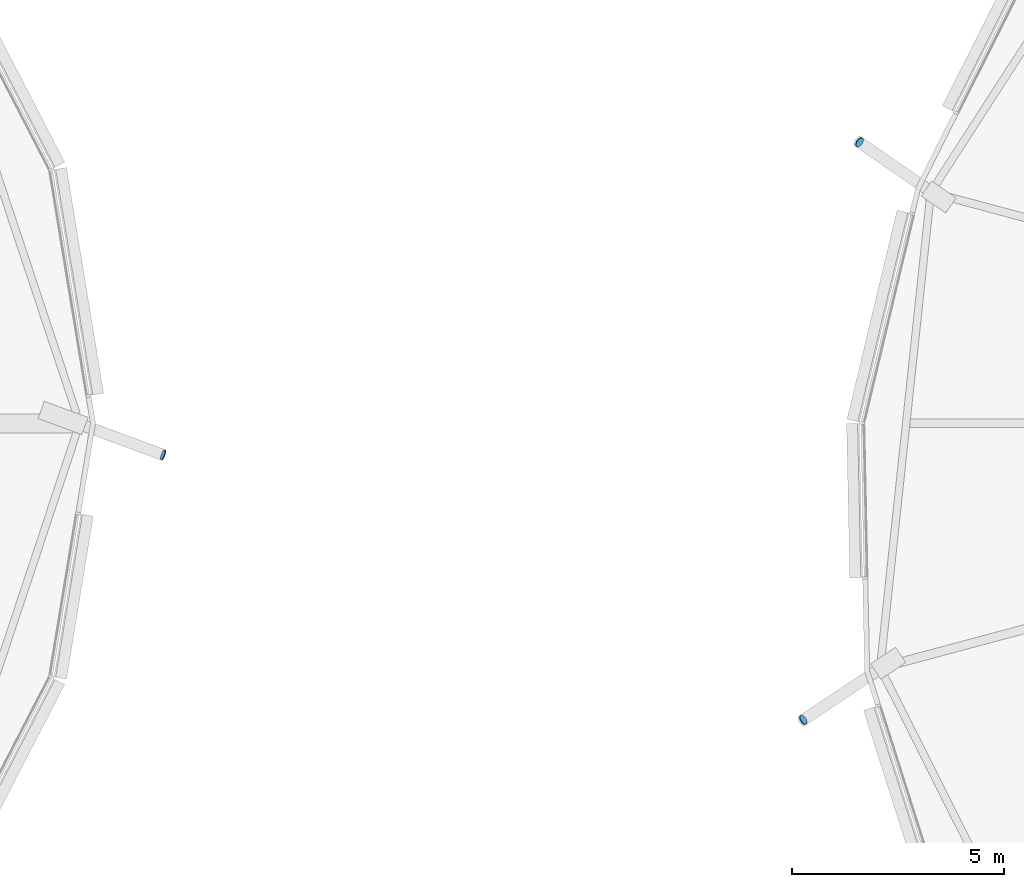
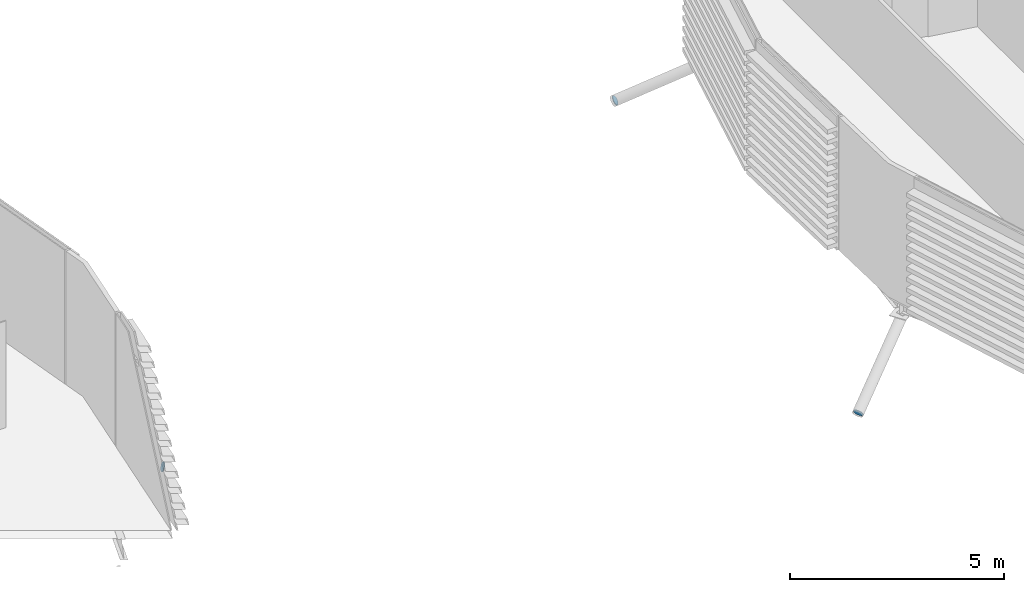
# One storey, part 29 of 38: 3 discrete accessories.
"""IFC4 building model written with IfcOpenShell, lengths in metres."""

from ifc_helpers import new_model, si_unit, direction, frame, origin, origin_2d, place, context, subcontext, project, spatial, circle, extrude, material, material_profile, profile_set, type_object, element, save


model = new_model("IFC4")

# Units and contexts
model_context = context("Model", 3, precision=1e-05, world=origin(), true_north=direction((0.0, 1.0)))
body_context = subcontext(model_context, "Body", "Model", "MODEL_VIEW")
ifc_project = project(units=[si_unit("LENGTHUNIT", "METRE"), si_unit("AREAUNIT", "SQUARE_METRE"), si_unit("VOLUMEUNIT", "CUBIC_METRE"), si_unit("PLANEANGLEUNIT", "RADIAN"), si_unit("MASSUNIT", "GRAM", prefix="KILO")], contexts=[model_context])

# Site, building, storey
site_placement = place(None, origin())
site = spatial("IfcSite", under=ifc_project, at=site_placement, CompositionType="ELEMENT")
building_placement = place(site_placement, origin())
building = spatial("IfcBuilding", under=site, at=building_placement, Name="Rimbun Link Towers", CompositionType="ELEMENT")
storey_placement = place(building_placement, frame((0.0, 0.0, 108.199951171875)))
storey = spatial("IfcBuildingStorey", under=building, at=storey_placement, Name="L26", CompositionType="ELEMENT", Elevation=108.199951171875)

# Discrete accessories
ifc_material = material(Name="Steel S355J2H", Category="steel")
ifc_material_profile = material_profile(ifc_material, circle(Radius=0.1240234375, at=origin_2d()), Name="PL D248")
ifc_profile_set = profile_set([ifc_material_profile], Name="Steel S355J2H")
discrete_accessory_type = type_object("IfcDiscreteAccessoryType", Name="Link foot sealing plate D248X20", PredefinedType="BRACKET", material=ifc_profile_set)
for number, where, z_axis, x_axis, name in (
    (1, (-6.756103515625, -0.742919921875, -2.14111328125), (0.898638141175, -0.327881483942, -0.291450207949), (0.342762160206, 0.93942221686, 0.0), "Link foot sealing plate T1 L26 00"),
    (2, (9.70849609375, 6.636474609375, -1.950439453125), (-0.707106781187, 0.487659849094, -0.512042841549), (-0.567732955804, -0.823212785915, 0.0), "Link foot sealing plate T2 L26 08"),
    (3, (8.381103515625, -7.002685546875, -2.1015625), (-0.721715912978, -0.477066450951, -0.501531397154), (0.551433013749, -0.834219174646, 0.0), "Link foot sealing plate T2 L26 10"),
):
    element("IfcDiscreteAccessory", number, at=place(storey_placement, frame(where, z_axis=z_axis, x_axis=x_axis)), inside=storey, type_object=discrete_accessory_type, Name=name, PredefinedType="BRACKET", context=body_context, shape_type="SweptSolid", body=[
        extrude(circle(Radius=0.1240234375, at=origin_2d()), origin(), (0.0, 0.0, 1.0), 0.02001953125),
    ])

save(model, "model.ifc")
